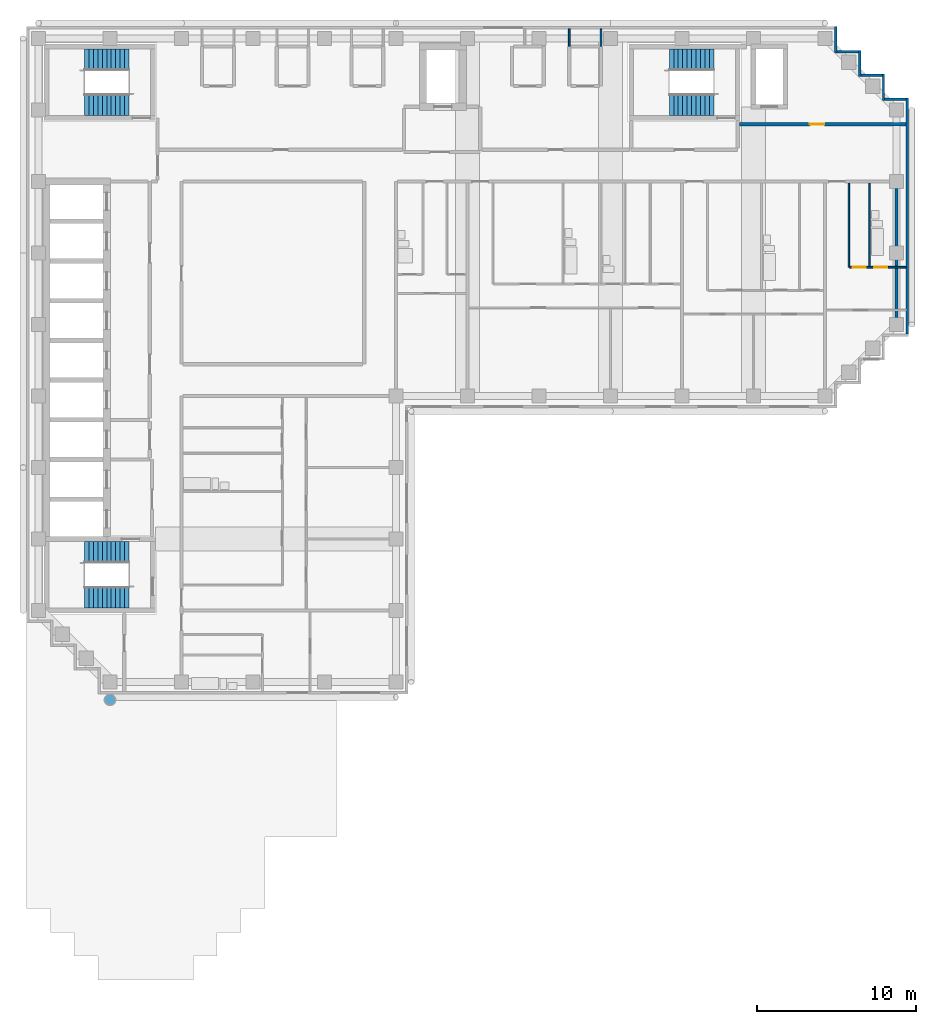
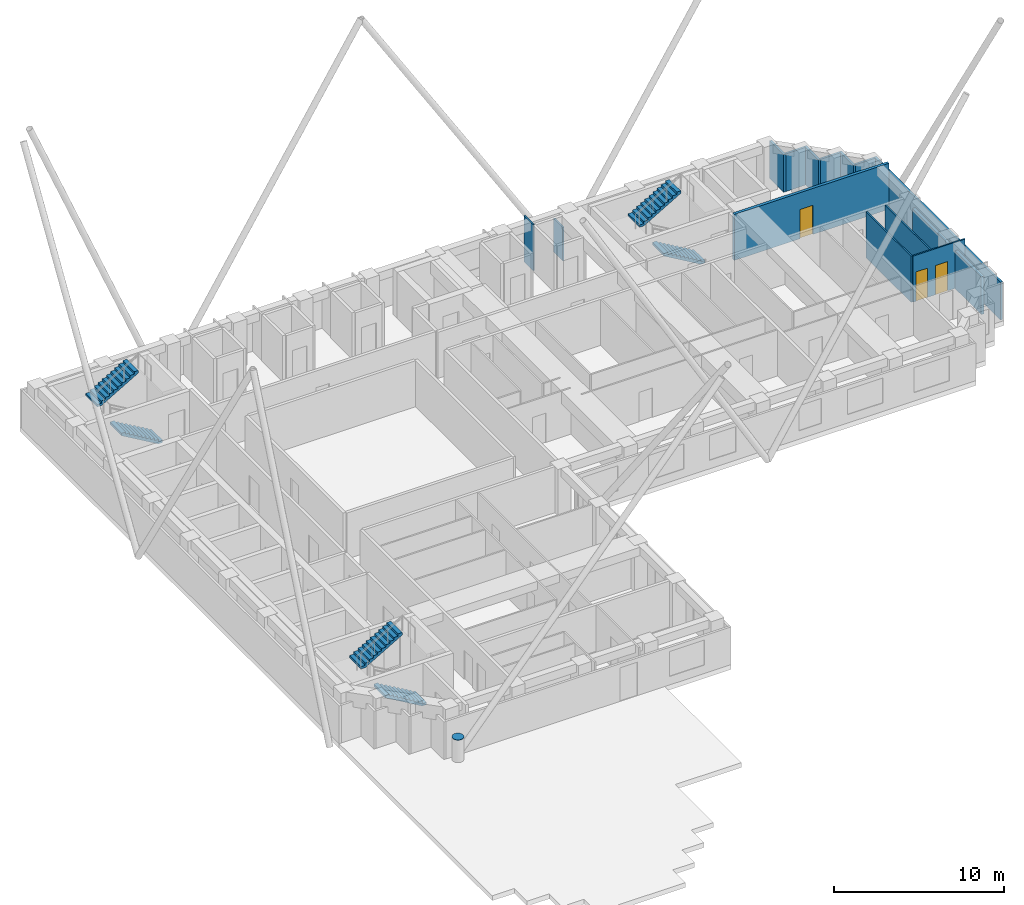
# One storey, part 7 of 9: 14 walls, 6 stair flights, 3 doors, 1 discrete accessory, 3 openings, 3 elements without a shape of their own.
"""IFC4 building model written with IfcOpenShell, lengths in metres."""

from ifc_helpers import new_model, si_unit, direction, frame, frame_2d, origin, origin_2d, place, context, subcontext, project, spatial, polyline, rectangle, circle, outline, extrude, material, layer, layer_set, material_profile, profile_set, type_object, element, fill, aggregate, save


model = new_model("IFC4")

# Units and contexts
model_context = context("Model", 3, precision=1e-05, world=origin(), true_north=direction((0.0, 1.0)))
body_context = subcontext(model_context, "Body", "Model", "MODEL_VIEW")
ifc_project = project(units=[si_unit("LENGTHUNIT", "METRE"), si_unit("AREAUNIT", "SQUARE_METRE"), si_unit("VOLUMEUNIT", "CUBIC_METRE"), si_unit("PLANEANGLEUNIT", "RADIAN"), si_unit("MASSUNIT", "GRAM", prefix="KILO")], contexts=[model_context])

# Site, building, storey
site_placement = place(None, origin())
site = spatial("IfcSite", under=ifc_project, at=site_placement, CompositionType="ELEMENT")
building_placement = place(site_placement, origin())
building = spatial("IfcBuilding", under=site, at=building_placement, Name="Firuza Court", CompositionType="ELEMENT")
storey_placement = place(building_placement, frame((0.0, 0.0, 211.39990234375)))
storey = spatial("IfcBuildingStorey", under=building, at=storey_placement, Name="L54", CompositionType="ELEMENT", Elevation=211.39990234375)

# Wall
ifc_material_1 = material(Name="Moisture-resistant gypsum board partition")
ifc_layer_1 = layer(ifc_material_1, 0.10009765625)
ifc_layer_set_1 = layer_set([ifc_layer_1], Name="Moisture-resistant gypsum board partition")
wall_type_1 = type_object("IfcWallType", Name="Bathroom partition 100", PredefinedType="PLUMBINGWALL", material=ifc_layer_set_1)
wall_1_placement = place(storey_placement, frame((52.300048828125, 44.14990234375, 0.0), z_axis=(0.0, 0.0, 1.0), x_axis=(0.0, 1.0, 0.0)))
element("IfcWall", 1, at=wall_1_placement, inside=storey, type_object=wall_type_1, Name="Bathroom partition 100 L54", PredefinedType="PLUMBINGWALL", context=body_context, shape_type="SweptSolid", body=[
    extrude(rectangle(XDim=5.25, YDim=0.10009765625, at=frame_2d((2.625, 0.0))), origin(), (0.0, 0.0, 1.0), 3.300048828125),
])

# Wall, opening, door
ifc_material_2 = material(Name="Blockwork, plastered both sides", Category="masonry")
ifc_layer_2 = layer(ifc_material_2, 0.199951171875)
ifc_layer_set_2 = layer_set([ifc_layer_2], Name="Blockwork, plastered both sides")
wall_type_2 = type_object("IfcWallType", Name="Corridor wall 200", PredefinedType="PARTITIONING", material=ifc_layer_set_2)
wall_2_placement = place(storey_placement, frame((44.10009765625, 53.10009765625, 0.0), z_axis=(0.0, 0.0, 1.0), x_axis=(1.0, 0.0, 0.0)))
wall_2 = element("IfcWall", 2, at=wall_2_placement, inside=storey, type_object=wall_type_2, Name="Corridor wall 200 L54", PredefinedType="PARTITIONING", context=body_context, shape_type="SweptSolid", body=[
    extrude(rectangle(XDim=10.5, YDim=0.199951171875, at=frame_2d((5.25, 0.0))), origin(), (0.0, 0.0, 1.0), 3.300048828125),
])
opening_1_placement = place(wall_2_placement, frame((4.449951171875, 0.0, 0.0)))
opening_1 = element("IfcOpeningElement", 3, at=opening_1_placement, cuts=wall_2, Name="Opening D54051", PredefinedType="OPENING", context=body_context, shape_type="SweptSolid", body=[
    extrude(rectangle(XDim=0.89990234375, YDim=2.10009765625, at=frame_2d((0.449951171875, 1.050048828125))), frame((0.0, 0.11181640625, 0.0), z_axis=(0.0, -1.0, 0.0), x_axis=(1.0, 0.0, 0.0)), (0.0, 0.0, 1.0), 0.223876953125),
])
ifc_material_3 = material(Name="Timber door leaf in hardwood frame", Category="wood")
door_type_1 = type_object("IfcDoorType", Name="Room door 900 EI 30", OperationType="SINGLE_SWING_LEFT", PredefinedType="DOOR", material=ifc_material_3)
door_1_placement = place(opening_1_placement, origin())
door_1 = element("IfcDoor", 4, at=door_1_placement, inside=storey, type_object=door_type_1, Name="Staff pantry door", OperationType="SINGLE_SWING_LEFT", OverallHeight=2.10009765625, OverallWidth=0.89990234375, PredefinedType="DOOR", context=body_context, shape_type="SweptSolid", body=[
    extrude(rectangle(XDim=0.89990234375, YDim=2.10009765625, at=frame_2d((0.449951171875, 1.050048828125))), frame((0.0, 0.02490234375, 0.0), z_axis=(0.0, -1.0, 0.0), x_axis=(1.0, 0.0, 0.0)), (0.0, 0.0, 1.0), 0.050048828125),
])
fill(opening_1, door_1)

# Wall
ifc_material_4 = material(Name="Timber stud partition, plasterboard both sides", Category="wood")
ifc_layer_3 = layer(ifc_material_4, 0.10009765625)
ifc_layer_set_3 = layer_set([ifc_layer_3], Name="Timber stud partition, plasterboard both sides")
wall_type_3 = type_object("IfcWallType", Name="Partition wall 100", PredefinedType="PARTITIONING", material=ifc_layer_set_3)
wall_3_placement = place(storey_placement, frame((51.0, 44.10009765625, 0.0), z_axis=(0.0, 0.0, 1.0), x_axis=(0.0, 1.0, 0.0)))
element("IfcWall", 5, at=wall_3_placement, inside=storey, type_object=wall_type_3, Name="Partition wall 100 L54", PredefinedType="PARTITIONING", context=body_context, shape_type="SweptSolid", body=[
    extrude(rectangle(XDim=5.2998046875, YDim=0.10009765625, at=frame_2d((2.64990234375, 0.0))), origin(), (0.0, 0.0, 1.0), 3.300048828125),
])

# Wall, openings, doors
wall_4_placement = place(storey_placement, frame((51.050048828125, 44.10009765625, 0.0), z_axis=(0.0, 0.0, 1.0), x_axis=(1.0, 0.0, 0.0)))
wall_4 = element("IfcWall", 6, at=wall_4_placement, inside=storey, type_object=wall_type_3, Name="Partition wall 100 L54", PredefinedType="PARTITIONING", context=body_context, shape_type="SweptSolid", body=[
    extrude(rectangle(XDim=3.550048828125, YDim=0.10009765625, at=frame_2d((1.77490234375, 0.0))), origin(), (0.0, 0.0, 1.0), 3.300048828125),
])
opening_2_placement = place(wall_4_placement, frame((1.550048828125, 0.0, 0.0)))
opening_2 = element("IfcOpeningElement", 7, at=opening_2_placement, cuts=wall_4, Name="Opening D54043", PredefinedType="OPENING", context=body_context, shape_type="SweptSolid", body=[
    extrude(rectangle(XDim=0.800048828125, YDim=2.10009765625, at=frame_2d((0.39990234375, 1.050048828125))), frame((0.0, 0.06201171875, 0.0), z_axis=(0.0, -1.0, 0.0), x_axis=(1.0, 0.0, 0.0)), (0.0, 0.0, 1.0), 0.1240234375),
])
opening_3_placement = place(wall_4_placement, frame((0.199951171875, 0.0, 0.0)))
opening_3 = element("IfcOpeningElement", 8, at=opening_3_placement, cuts=wall_4, Name="Opening D54044", PredefinedType="OPENING", context=body_context, shape_type="SweptSolid", body=[
    extrude(rectangle(XDim=0.800048828125, YDim=2.10009765625, at=frame_2d((0.39990234375, 1.050048828125))), frame((0.0, 0.06201171875, 0.0), z_axis=(0.0, -1.0, 0.0), x_axis=(1.0, 0.0, 0.0)), (0.0, 0.0, 1.0), 0.1240234375),
])
ifc_material_5 = material(Name="Timber door leaf in hardwood frame", Category="wood")
door_type_2 = type_object("IfcDoorType", Name="Bathroom door 800", OperationType="SINGLE_SWING_LEFT", PredefinedType="DOOR", material=ifc_material_5)
door_2_placement = place(opening_2_placement, origin())
door_2 = element("IfcDoor", 9, at=door_2_placement, inside=storey, type_object=door_type_2, Name="Bathroom door", OperationType="SINGLE_SWING_LEFT", OverallHeight=2.10009765625, OverallWidth=0.800048828125, PredefinedType="DOOR", context=body_context, shape_type="SweptSolid", body=[
    extrude(rectangle(XDim=0.800048828125, YDim=2.10009765625, at=frame_2d((0.39990234375, 1.050048828125))), frame((0.0, 0.02490234375, 0.0), z_axis=(0.0, -1.0, 0.0), x_axis=(1.0, 0.0, 0.0)), (0.0, 0.0, 1.0), 0.050048828125),
])
fill(opening_2, door_2)
ifc_material_6 = material(Name="Timber door leaf in hardwood frame", Category="wood")
door_type_3 = type_object("IfcDoorType", Name="Room door 800", OperationType="SINGLE_SWING_LEFT", PredefinedType="DOOR", material=ifc_material_6)
door_3_placement = place(opening_3_placement, origin())
door_3 = element("IfcDoor", 10, at=door_3_placement, inside=storey, type_object=door_type_3, Name="Kitchen door", OperationType="SINGLE_SWING_LEFT", OverallHeight=2.10009765625, OverallWidth=0.800048828125, PredefinedType="DOOR", context=body_context, shape_type="SweptSolid", body=[
    extrude(rectangle(XDim=0.800048828125, YDim=2.10009765625, at=frame_2d((0.39990234375, 1.050048828125))), frame((0.0, 0.02490234375, 0.0), z_axis=(0.0, -1.0, 0.0), x_axis=(1.0, 0.0, 0.0)), (0.0, 0.0, 1.0), 0.050048828125),
])
fill(opening_3, door_3)

# Walls
wall_5_placement = place(storey_placement, frame((33.39990234375, 58.0, 0.0), z_axis=(0.0, 0.0, 1.0), x_axis=(0.0, 1.0, 0.0)))
element("IfcWall", 11, at=wall_5_placement, inside=storey, type_object=wall_type_3, Name="Partition wall 100 L54", PredefinedType="PARTITIONING", context=body_context, shape_type="SweptSolid", body=[
    extrude(rectangle(XDim=1.10009765625, YDim=0.10009765625, at=frame_2d((0.550048828125, 0.0))), origin(), (0.0, 0.0, 1.0), 3.300048828125),
])
wall_6_placement = place(storey_placement, frame((35.39990234375, 58.0, 0.0), z_axis=(0.0, 0.0, 1.0), x_axis=(0.0, 1.0, 0.0)))
element("IfcWall", 12, at=wall_6_placement, inside=storey, type_object=wall_type_3, Name="Partition wall 100 L54", PredefinedType="PARTITIONING", context=body_context, shape_type="SweptSolid", body=[
    extrude(rectangle(XDim=1.10009765625, YDim=0.10009765625, at=frame_2d((0.550048828125, 0.0))), origin(), (0.0, 0.0, 1.0), 2.400146484375),
])
ifc_layer_4 = layer(ifc_material_2, 0.199951171875)
ifc_layer_set_4 = layer_set([ifc_layer_4], Name="Blockwork, plastered both sides")
wall_type_4 = type_object("IfcWallType", Name="Party wall 200", PredefinedType="PARTITIONING", material=ifc_layer_set_4)
wall_7_placement = place(storey_placement, frame((54.0, 40.949951171875, 0.0), z_axis=(0.0, 0.0, 1.0), x_axis=(0.0, 1.0, 0.0)))
element("IfcWall", 13, at=wall_7_placement, inside=storey, type_object=wall_type_4, Name="Party wall 200 L54", PredefinedType="PARTITIONING", context=body_context, shape_type="SweptSolid", body=[
    extrude(rectangle(XDim=8.10009765625, YDim=0.199951171875, at=frame_2d((4.050048828125, 0.0))), origin(), (0.0, 0.0, 1.0), 2.7001953125),
])
ifc_material_7 = material(Name="Ceramic tile", Category="ceramic")
ifc_layer_5 = layer(ifc_material_7, 0.02001953125)
ifc_material_8 = material(Name="Mineral wool insulation", Category="insulation")
ifc_layer_6 = layer(ifc_material_8, 0.050048828125)
ifc_material_9 = material(Name="Concrete C40/50 precast", Category="concrete")
ifc_layer_7 = layer(ifc_material_9, 0.080078125)
ifc_layer_set_5 = layer_set([ifc_layer_5, ifc_layer_6, ifc_layer_7], Name="Concrete C40/50 precast")
wall_type_5 = type_object("IfcWallType", Name="Precast cladding wall with turquoise TILE PANEL face 150", PredefinedType="STANDARD", material=ifc_layer_set_5)
wall_8_placement = place(storey_placement, frame((54.675048828125, 39.89990234375, 0.0), z_axis=(0.0, 0.0, 1.0), x_axis=(0.0, 1.0, 0.0)))
element("IfcWall", 14, at=wall_8_placement, inside=storey, type_object=wall_type_5, Name="Facade wall L54 E", PredefinedType="STANDARD", context=body_context, shape_type="SweptSolid", body=[
    extrude(rectangle(XDim=14.85009765625, YDim=0.14990234375, at=frame_2d((7.425048828125, 0.0))), origin(), (0.0, 0.0, 1.0), 2.7001953125),
])
wall_9_placement = place(storey_placement, frame((54.60009765625, 54.675048828125, 0.0), z_axis=(0.0, 0.0, 1.0), x_axis=(-1.0, 0.0, 0.0)))
element("IfcWall", 15, at=wall_9_placement, inside=storey, type_object=wall_type_5, Name="Facade wall L54 N", PredefinedType="STANDARD", context=body_context, shape_type="SweptSolid", body=[
    extrude(rectangle(XDim=1.35009765625, YDim=0.14990234375, at=frame_2d((0.675048828125, 0.0))), origin(), (0.0, 0.0, 1.0), 2.7001953125),
])
wall_10_placement = place(storey_placement, frame((53.175048828125, 54.60009765625, 0.0), z_axis=(0.0, 0.0, 1.0), x_axis=(0.0, 1.0, 0.0)))
element("IfcWall", 16, at=wall_10_placement, inside=storey, type_object=wall_type_5, Name="Facade wall L54 E", PredefinedType="STANDARD", context=body_context, shape_type="SweptSolid", body=[
    extrude(rectangle(XDim=1.64990234375, YDim=0.14990234375, at=frame_2d((0.824951171875, 0.0))), origin(), (0.0, 0.0, 1.0), 2.7001953125),
])
wall_11_placement = place(storey_placement, frame((53.10009765625, 56.175048828125, 0.0), z_axis=(0.0, 0.0, 1.0), x_axis=(-1.0, 0.0, 0.0)))
element("IfcWall", 17, at=wall_11_placement, inside=storey, type_object=wall_type_5, Name="Facade wall L54 N", PredefinedType="STANDARD", context=body_context, shape_type="SweptSolid", body=[
    extrude(rectangle(XDim=1.35009765625, YDim=0.14990234375, at=frame_2d((0.675048828125, 0.0))), origin(), (0.0, 0.0, 1.0), 2.7001953125),
])
wall_12_placement = place(storey_placement, frame((51.675048828125, 56.10009765625, 0.0), z_axis=(0.0, 0.0, 1.0), x_axis=(0.0, 1.0, 0.0)))
element("IfcWall", 18, at=wall_12_placement, inside=storey, type_object=wall_type_5, Name="Facade wall L54 E", PredefinedType="STANDARD", context=body_context, shape_type="SweptSolid", body=[
    extrude(rectangle(XDim=1.64990234375, YDim=0.14990234375, at=frame_2d((0.824951171875, 0.0))), origin(), (0.0, 0.0, 1.0), 2.7001953125),
])
wall_13_placement = place(storey_placement, frame((51.60009765625, 57.675048828125, 0.0), z_axis=(0.0, 0.0, 1.0), x_axis=(-1.0, 0.0, 0.0)))
element("IfcWall", 19, at=wall_13_placement, inside=storey, type_object=wall_type_5, Name="Facade wall L54 N", PredefinedType="STANDARD", context=body_context, shape_type="SweptSolid", body=[
    extrude(rectangle(XDim=1.35009765625, YDim=0.14990234375, at=frame_2d((0.675048828125, 0.0))), origin(), (0.0, 0.0, 1.0), 2.7001953125),
])
wall_14_placement = place(storey_placement, frame((50.175048828125, 57.60009765625, 0.0), z_axis=(0.0, 0.0, 1.0), x_axis=(0.0, 1.0, 0.0)))
element("IfcWall", 20, at=wall_14_placement, inside=storey, type_object=wall_type_5, Name="Facade wall L54 E", PredefinedType="STANDARD", context=body_context, shape_type="SweptSolid", body=[
    extrude(rectangle(XDim=1.64990234375, YDim=0.14990234375, at=frame_2d((0.824951171875, 0.0))), origin(), (0.0, 0.0, 1.0), 2.7001953125),
])

# Stair, stair flights
ifc_material_10 = material(Name="Concrete C40/50 precast", Category="concrete")
stair_type = type_object("IfcStairType", Name="Stair 1350 x 3600 2 flights", PredefinedType="HALF_TURN_STAIR", material=ifc_material_10)
stair_1_placement = place(storey_placement, origin())
stair_1 = element("IfcStair", 21, at=stair_1_placement, inside=storey, type_object=stair_type, Name="Stair 1 L54", PredefinedType="HALF_TURN_STAIR")
ifc_material_11 = material(Name="Concrete C40/50 precast", Category="concrete")
stair_flight_type = type_object("IfcStairFlightType", Name="Flight 1350 riser 163.6", PredefinedType="STRAIGHT", material=ifc_material_11)
stair_flight_1_placement = place(storey_placement, frame((42.5, 54.324951171875, 0.0), z_axis=(0.0, 0.0, 1.0), x_axis=(-1.0, 0.0, 0.0)))
stair_flight_1 = element("IfcStairFlight", 22, at=stair_flight_1_placement, type_object=stair_flight_type, Name="S1 flight 1", NumberOfRisers=11, NumberOfTreads=10, PredefinedType="STRAIGHT", RiserHeight=0.163636364, TreadLength=0.28, context=body_context, shape_type="SweptSolid", body=[
    extrude(outline(polyline([(0.0, 0.0), (0.0, 0.16357421875), (0.280029296875, 0.16357421875), (0.280029296875, 0.327392578125), (0.56005859375, 0.327392578125), (0.56005859375, 0.490966796875), (0.840087890625, 0.490966796875), (0.840087890625, 0.654541015625), (1.1201171875, 0.654541015625), (1.1201171875, 0.818115234375), (1.39990234375, 0.818115234375), (1.39990234375, 0.98193359375), (1.679931640625, 0.98193359375), (1.679931640625, 1.1455078125), (1.9599609375, 1.1455078125), (1.9599609375, 1.30908203125), (2.239990234375, 1.30908203125), (2.239990234375, 1.47265625), (2.52001953125, 1.47265625), (2.52001953125, 1.636474609375), (2.800048828125, 1.636474609375), (2.800048828125, 1.800048828125), (2.800048828125, 1.462646484375), (0.297119140625, 0.0), (0.0, 0.0)])), frame((0.0, 0.675048828125, 0.0), z_axis=(0.0, -1.0, 0.0), x_axis=(1.0, 0.0, 0.0)), (0.0, 0.0, 1.0), 1.35009765625),
])
stair_flight_2_placement = place(storey_placement, frame((39.699951171875, 57.175048828125, 1.800048828125), z_axis=(0.0, 0.0, 1.0), x_axis=(1.0, 0.0, 0.0)))
stair_flight_2 = element("IfcStairFlight", 23, at=stair_flight_2_placement, type_object=stair_flight_type, Name="S1 flight 2", NumberOfRisers=11, NumberOfTreads=10, PredefinedType="STRAIGHT", RiserHeight=0.163636364, TreadLength=0.28, context=body_context, shape_type="SweptSolid", body=[
    extrude(outline(polyline([(0.0, 0.0), (0.0, 0.16357421875), (0.280029296875, 0.16357421875), (0.280029296875, 0.327392578125), (0.56005859375, 0.327392578125), (0.56005859375, 0.490966796875), (0.840087890625, 0.490966796875), (0.840087890625, 0.654541015625), (1.1201171875, 0.654541015625), (1.1201171875, 0.818115234375), (1.39990234375, 0.818115234375), (1.39990234375, 0.98193359375), (1.679931640625, 0.98193359375), (1.679931640625, 1.1455078125), (1.9599609375, 1.1455078125), (1.9599609375, 1.30908203125), (2.239990234375, 1.30908203125), (2.239990234375, 1.47265625), (2.52001953125, 1.47265625), (2.52001953125, 1.636474609375), (2.800048828125, 1.636474609375), (2.800048828125, 1.800048828125), (2.800048828125, 1.462646484375), (0.297119140625, 0.0), (0.0, 0.0)])), frame((0.0, 0.675048828125, 0.0), z_axis=(0.0, -1.0, 0.0), x_axis=(1.0, 0.0, 0.0)), (0.0, 0.0, 1.0), 1.35009765625),
])
aggregate(stair_1, [stair_flight_1, stair_flight_2])

stair_2_placement = place(storey_placement, origin())
stair_2 = element("IfcStair", 24, at=stair_2_placement, inside=storey, type_object=stair_type, Name="Stair 2 L54", PredefinedType="HALF_TURN_STAIR")
stair_flight_3_placement = place(storey_placement, frame((5.699951171875, 23.324951171875, 0.0), z_axis=(0.0, 0.0, 1.0), x_axis=(-1.0, 0.0, 0.0)))
stair_flight_3 = element("IfcStairFlight", 25, at=stair_flight_3_placement, type_object=stair_flight_type, Name="S2 flight 1", NumberOfRisers=11, NumberOfTreads=10, PredefinedType="STRAIGHT", RiserHeight=0.163636364, TreadLength=0.28, context=body_context, shape_type="SweptSolid", body=[
    extrude(outline(polyline([(0.0, 0.0), (0.0, 0.16357421875), (0.280029296875, 0.16357421875), (0.280029296875, 0.327392578125), (0.56005859375, 0.327392578125), (0.56005859375, 0.490966796875), (0.840087890625, 0.490966796875), (0.840087890625, 0.654541015625), (1.1201171875, 0.654541015625), (1.1201171875, 0.818115234375), (1.39990234375, 0.818115234375), (1.39990234375, 0.98193359375), (1.679931640625, 0.98193359375), (1.679931640625, 1.1455078125), (1.9599609375, 1.1455078125), (1.9599609375, 1.30908203125), (2.239990234375, 1.30908203125), (2.239990234375, 1.47265625), (2.52001953125, 1.47265625), (2.52001953125, 1.636474609375), (2.800048828125, 1.636474609375), (2.800048828125, 1.800048828125), (2.800048828125, 1.462646484375), (0.297119140625, 0.0), (0.0, 0.0)])), frame((0.0, 0.675048828125, 0.0), z_axis=(0.0, -1.0, 0.0), x_axis=(1.0, 0.0, 0.0)), (0.0, 0.0, 1.0), 1.35009765625),
])
stair_flight_4_placement = place(storey_placement, frame((2.89990234375, 26.175048828125, 1.800048828125), z_axis=(0.0, 0.0, 1.0), x_axis=(1.0, 0.0, 0.0)))
stair_flight_4 = element("IfcStairFlight", 26, at=stair_flight_4_placement, type_object=stair_flight_type, Name="S2 flight 2", NumberOfRisers=11, NumberOfTreads=10, PredefinedType="STRAIGHT", RiserHeight=0.163636364, TreadLength=0.28, context=body_context, shape_type="SweptSolid", body=[
    extrude(outline(polyline([(0.0, 0.0), (0.0, 0.16357421875), (0.280029296875, 0.16357421875), (0.280029296875, 0.327392578125), (0.56005859375, 0.327392578125), (0.56005859375, 0.490966796875), (0.840087890625, 0.490966796875), (0.840087890625, 0.654541015625), (1.1201171875, 0.654541015625), (1.1201171875, 0.818115234375), (1.39990234375, 0.818115234375), (1.39990234375, 0.98193359375), (1.679931640625, 0.98193359375), (1.679931640625, 1.1455078125), (1.9599609375, 1.1455078125), (1.9599609375, 1.30908203125), (2.239990234375, 1.30908203125), (2.239990234375, 1.47265625), (2.52001953125, 1.47265625), (2.52001953125, 1.636474609375), (2.800048828125, 1.636474609375), (2.800048828125, 1.800048828125), (2.800048828125, 1.462646484375), (0.297119140625, 0.0), (0.0, 0.0)])), frame((0.0, 0.675048828125, 0.0), z_axis=(0.0, -1.0, 0.0), x_axis=(1.0, 0.0, 0.0)), (0.0, 0.0, 1.0), 1.35009765625),
])
aggregate(stair_2, [stair_flight_3, stair_flight_4])

stair_3_placement = place(storey_placement, origin())
stair_3 = element("IfcStair", 27, at=stair_3_placement, inside=storey, type_object=stair_type, Name="Stair 3 L54", PredefinedType="HALF_TURN_STAIR")
stair_flight_5_placement = place(storey_placement, frame((5.699951171875, 54.324951171875, 0.0), z_axis=(0.0, 0.0, 1.0), x_axis=(-1.0, 0.0, 0.0)))
stair_flight_5 = element("IfcStairFlight", 28, at=stair_flight_5_placement, type_object=stair_flight_type, Name="S3 flight 1", NumberOfRisers=11, NumberOfTreads=10, PredefinedType="STRAIGHT", RiserHeight=0.163636364, TreadLength=0.28, context=body_context, shape_type="SweptSolid", body=[
    extrude(outline(polyline([(0.0, 0.0), (0.0, 0.16357421875), (0.280029296875, 0.16357421875), (0.280029296875, 0.327392578125), (0.56005859375, 0.327392578125), (0.56005859375, 0.490966796875), (0.840087890625, 0.490966796875), (0.840087890625, 0.654541015625), (1.1201171875, 0.654541015625), (1.1201171875, 0.818115234375), (1.39990234375, 0.818115234375), (1.39990234375, 0.98193359375), (1.679931640625, 0.98193359375), (1.679931640625, 1.1455078125), (1.9599609375, 1.1455078125), (1.9599609375, 1.30908203125), (2.239990234375, 1.30908203125), (2.239990234375, 1.47265625), (2.52001953125, 1.47265625), (2.52001953125, 1.636474609375), (2.800048828125, 1.636474609375), (2.800048828125, 1.800048828125), (2.800048828125, 1.462646484375), (0.297119140625, 0.0), (0.0, 0.0)])), frame((0.0, 0.675048828125, 0.0), z_axis=(0.0, -1.0, 0.0), x_axis=(1.0, 0.0, 0.0)), (0.0, 0.0, 1.0), 1.35009765625),
])
stair_flight_6_placement = place(storey_placement, frame((2.89990234375, 57.175048828125, 1.800048828125), z_axis=(0.0, 0.0, 1.0), x_axis=(1.0, 0.0, 0.0)))
stair_flight_6 = element("IfcStairFlight", 29, at=stair_flight_6_placement, type_object=stair_flight_type, Name="S3 flight 2", NumberOfRisers=11, NumberOfTreads=10, PredefinedType="STRAIGHT", RiserHeight=0.163636364, TreadLength=0.28, context=body_context, shape_type="SweptSolid", body=[
    extrude(outline(polyline([(0.0, 0.0), (0.0, 0.16357421875), (0.280029296875, 0.16357421875), (0.280029296875, 0.327392578125), (0.56005859375, 0.327392578125), (0.56005859375, 0.490966796875), (0.840087890625, 0.490966796875), (0.840087890625, 0.654541015625), (1.1201171875, 0.654541015625), (1.1201171875, 0.818115234375), (1.39990234375, 0.818115234375), (1.39990234375, 0.98193359375), (1.679931640625, 0.98193359375), (1.679931640625, 1.1455078125), (1.9599609375, 1.1455078125), (1.9599609375, 1.30908203125), (2.239990234375, 1.30908203125), (2.239990234375, 1.47265625), (2.52001953125, 1.47265625), (2.52001953125, 1.636474609375), (2.800048828125, 1.636474609375), (2.800048828125, 1.800048828125), (2.800048828125, 1.462646484375), (0.297119140625, 0.0), (0.0, 0.0)])), frame((0.0, 0.675048828125, 0.0), z_axis=(0.0, -1.0, 0.0), x_axis=(1.0, 0.0, 0.0)), (0.0, 0.0, 1.0), 1.35009765625),
])
aggregate(stair_3, [stair_flight_5, stair_flight_6])

# Discrete accessory
ifc_material_12 = material(Name="Steel S355", Category="steel")
ifc_material_profile = material_profile(ifc_material_12, circle(Radius=0.35546875, at=origin_2d()), Name="PL D711")
ifc_profile_set = profile_set([ifc_material_profile], Name="Steel S355")
discrete_accessory_type = type_object("IfcDiscreteAccessoryType", Name="DIAGRID NODE END PLATE", PredefinedType="NOTDEFINED", material=ifc_profile_set)
discrete_accessory_placement = place(storey_placement, frame((4.5, 16.8798828125, 1.60009765625), z_axis=(0.0, 0.0, 1.0), x_axis=(1.0, 0.0, 0.0)))
element("IfcDiscreteAccessory", 30, at=discrete_accessory_placement, inside=storey, type_object=discrete_accessory_type, Name="Diagrid node end plate level L54", PredefinedType="NOTDEFINED", context=body_context, shape_type="SweptSolid", body=[
    extrude(circle(Radius=0.35546875, at=origin_2d()), origin(), (0.0, 0.0, 1.0), 0.030029296875),
])

save(model, "model.ifc")
